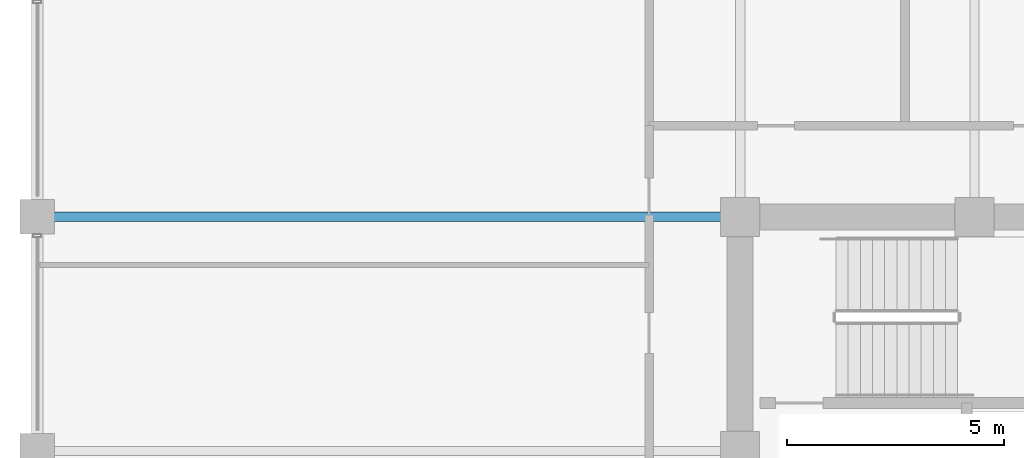
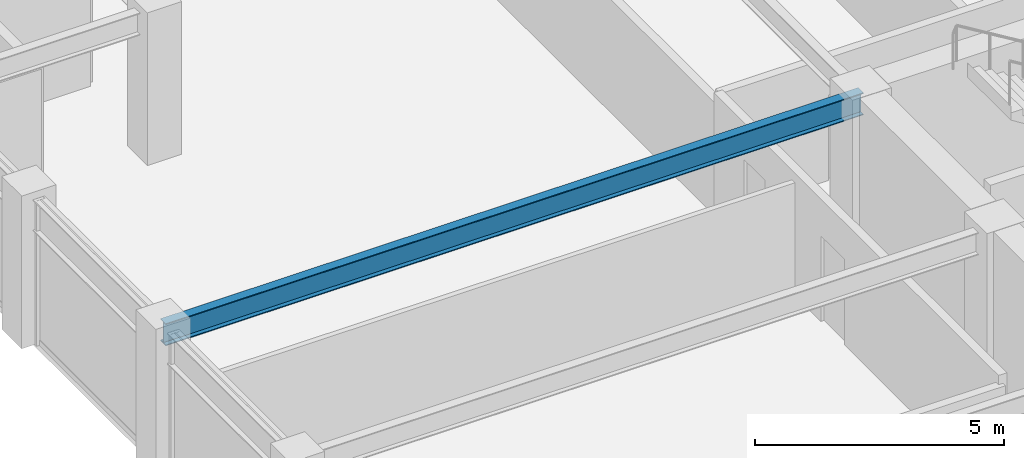
# One storey, part 17 of 32: 1 beam.
"""IFC4 building model written with IfcOpenShell, lengths in metres."""

from ifc_helpers import new_model, si_unit, direction, frame, origin, origin_2d, place, context, subcontext, project, spatial, i_section, extrude, material, material_profile, profile_set, type_object, element, save


model = new_model("IFC4")

# Units and contexts
model_context = context("Model", 3, precision=1e-05, world=origin(), true_north=direction((0.0, 1.0)))
body_context = subcontext(model_context, "Body", "Model", "MODEL_VIEW")
ifc_project = project(units=[si_unit("LENGTHUNIT", "METRE"), si_unit("AREAUNIT", "SQUARE_METRE"), si_unit("VOLUMEUNIT", "CUBIC_METRE"), si_unit("PLANEANGLEUNIT", "RADIAN"), si_unit("MASSUNIT", "GRAM", prefix="KILO")], contexts=[model_context])

# Site, building, storey
site_placement = place(None, origin())
site = spatial("IfcSite", under=ifc_project, at=site_placement, CompositionType="ELEMENT")
building_placement = place(site_placement, origin())
building = spatial("IfcBuilding", under=site, at=building_placement, Name="Surkhivell Harbour Commons", CompositionType="ELEMENT")
storey_placement = place(building_placement, frame((0.0, 0.0, 219.75)))
storey = spatial("IfcBuildingStorey", under=building, at=storey_placement, Name="L57", CompositionType="ELEMENT", Elevation=219.75)

# Beam
ifc_material = material(Name="Steel S355", Category="steel")
ifc_material_profile = material_profile(ifc_material, i_section(OverallWidth=0.2119140625, OverallDepth=0.5439453125, WebThickness=0.0126953125, FlangeThickness=0.021240234375, at=origin_2d()), Name="UB533x210x122")
ifc_profile_set = profile_set([ifc_material_profile], Name="Steel S355")
beam_type = type_object("IfcBeamType", Name="BM-GRD-533A", PredefinedType="BEAM", material=ifc_profile_set)
beam_placement = place(storey_placement, frame((-27.0, 10.800048828125, 3.298095703125), z_axis=(1.0, 0.0, 0.0), x_axis=(0.0, 1.0, 0.0)))
element("IfcBeam", 1, at=beam_placement, inside=storey, type_object=beam_type, Name="L57 Floor Girder (-27.0,10.8)", PredefinedType="BEAM", context=body_context, shape_type="SweptSolid", body=[
    extrude(i_section(OverallWidth=0.2119140625, OverallDepth=0.5439453125, WebThickness=0.0126953125, FlangeThickness=0.021240234375, at=origin_2d()), origin(), (0.0, 0.0, 1.0), 16.199951171875),
])

save(model, "model.ifc")
